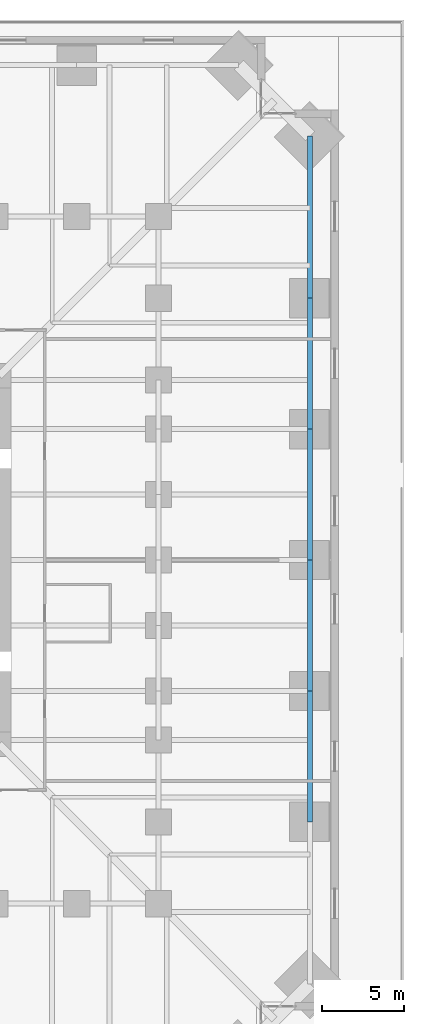
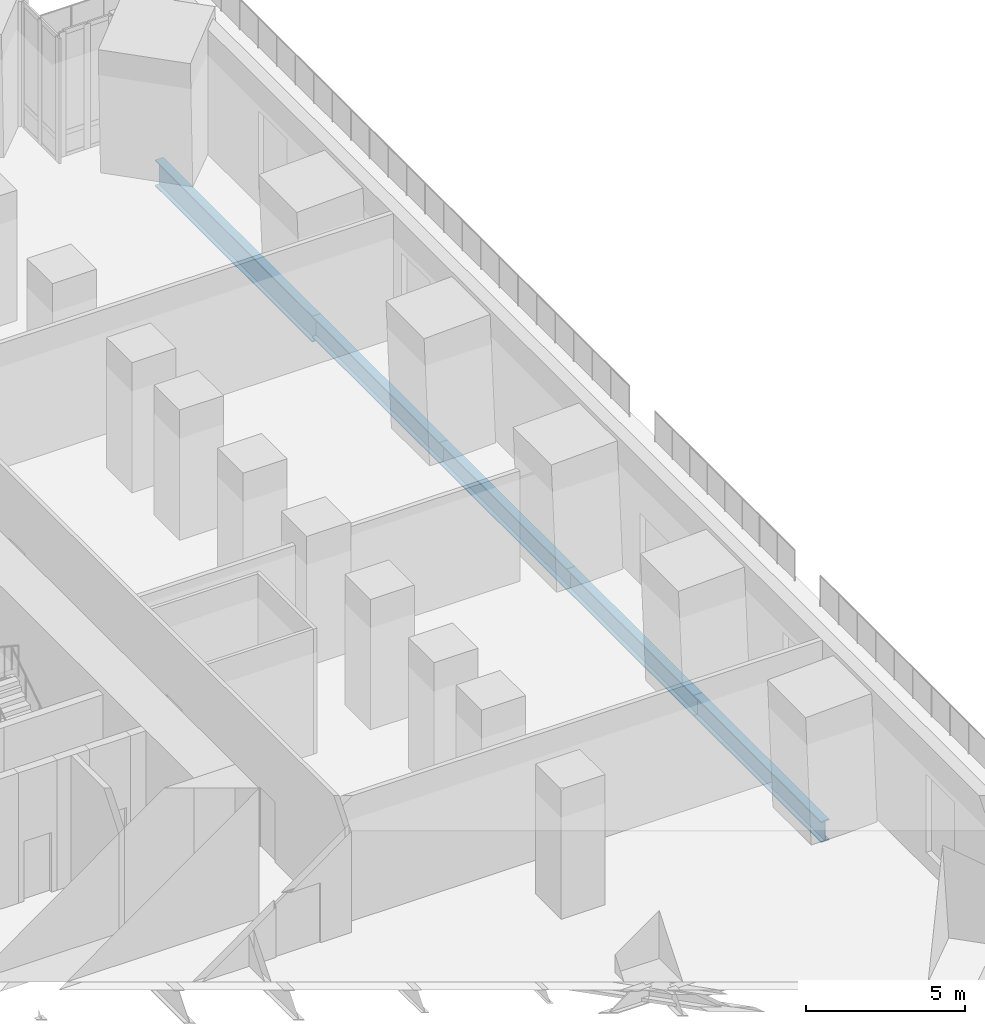
# One storey, part 10 of 26: 5 beams.
"""IFC4 building model written with IfcOpenShell, lengths in metres."""

from ifc_helpers import new_model, si_unit, direction, frame, origin, origin_2d, place, context, subcontext, project, spatial, i_section, extrude, material, material_profile, profile_set, type_object, element, save


model = new_model("IFC4")

# Units and contexts
model_context = context("Model", 3, precision=1e-05, world=origin(), true_north=direction((0.0, 1.0)))
body_context = subcontext(model_context, "Body", "Model", "MODEL_VIEW")
ifc_project = project(units=[si_unit("LENGTHUNIT", "METRE"), si_unit("AREAUNIT", "SQUARE_METRE"), si_unit("VOLUMEUNIT", "CUBIC_METRE"), si_unit("PLANEANGLEUNIT", "RADIAN"), si_unit("MASSUNIT", "GRAM", prefix="KILO")], contexts=[model_context])

# Site, building, storey
site_placement = place(None, origin())
site = spatial("IfcSite", under=ifc_project, at=site_placement, CompositionType="ELEMENT")
building_placement = place(site_placement, origin())
building = spatial("IfcBuilding", under=site, at=building_placement, Name="Peilmerk Tower", CompositionType="ELEMENT")
storey_placement = place(building_placement, frame((0.0, 0.0, 16.0)))
storey = spatial("IfcBuildingStorey", under=building, at=storey_placement, Name="L03", CompositionType="ELEMENT", Elevation=16.0)

# Beams
ifc_material = material(Name="Steel S355", Category="steel")
ifc_material_profile_1 = material_profile(ifc_material, i_section(OverallWidth=0.300048828125, OverallDepth=1.0, WebThickness=0.01904296875, FlangeThickness=0.035888671875, at=origin_2d()), Name="HEB 1000")
ifc_profile_set_1 = profile_set([ifc_material_profile_1], Name="Steel S355")
beam_type_1 = type_object("IfcBeamType", Name="B13 HEB 1000 edge beam", PredefinedType="SPANDREL", material=ifc_profile_set_1)
beam_placement = place(storey_placement, frame((30.251708984375, 16.0, -0.699951171875), z_axis=(0.0, 1.0, 0.0), x_axis=(-1.0, 0.0, 0.0)))
element("IfcBeam", 1, at=beam_placement, inside=storey, type_object=beam_type_1, Name="Edge beam L03", PredefinedType="SPANDREL", context=body_context, shape_type="SweptSolid", body=[
    extrude(i_section(OverallWidth=0.300048828125, OverallDepth=1.0, WebThickness=0.01904296875, FlangeThickness=0.035888671875, at=origin_2d()), origin(), (0.0, 0.0, 1.0), 9.901611328125),
])
ifc_material_profile_2 = material_profile(ifc_material, i_section(OverallWidth=0.302978515625, OverallDepth=0.81396484375, WebThickness=0.02099609375, FlangeThickness=0.0400390625, at=origin_2d()), Name="HEM 800")
ifc_profile_set_2 = profile_set([ifc_material_profile_2], Name="Steel S355")
beam_type_2 = type_object("IfcBeamType", Name="B15 HEM 800 edge beam", PredefinedType="SPANDREL", material=ifc_profile_set_2)
for number, where, z_axis, x_axis, name in (
    (2, (30.251708984375, -16.0, -0.60693359375), (0.0, 1.0, 0.0), (-1.0, 0.0, 0.0), "Edge beam L03"),
    (3, (30.251708984375, -8.0, -0.60693359375), (0.0, 1.0, 0.0), (-1.0, 0.0, 0.0), "Edge beam L03"),
    (4, (30.251708984375, 0.0, -0.60693359375), (0.0, 1.0, 0.0), (-1.0, 0.0, 0.0), "Edge beam L03"),
    (5, (30.251708984375, 8.0, -0.60693359375), (0.0, 1.0, 0.0), (-1.0, 0.0, 0.0), "Edge beam L03"),
):
    element("IfcBeam", number, at=place(storey_placement, frame(where, z_axis=z_axis, x_axis=x_axis)), inside=storey, type_object=beam_type_2, Name=name, PredefinedType="SPANDREL", context=body_context, shape_type="SweptSolid", body=[
        extrude(i_section(OverallWidth=0.302978515625, OverallDepth=0.81396484375, WebThickness=0.02099609375, FlangeThickness=0.0400390625, at=origin_2d()), origin(), (0.0, 0.0, 1.0), 8.0),
    ])

save(model, "model.ifc")
